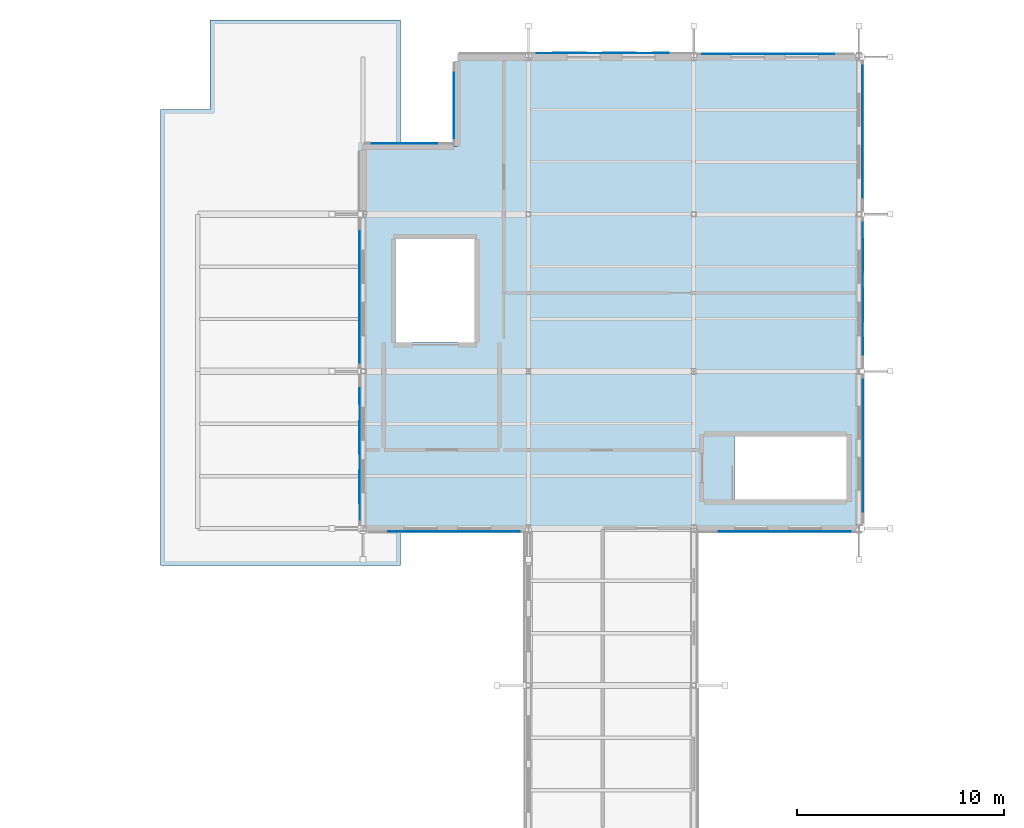
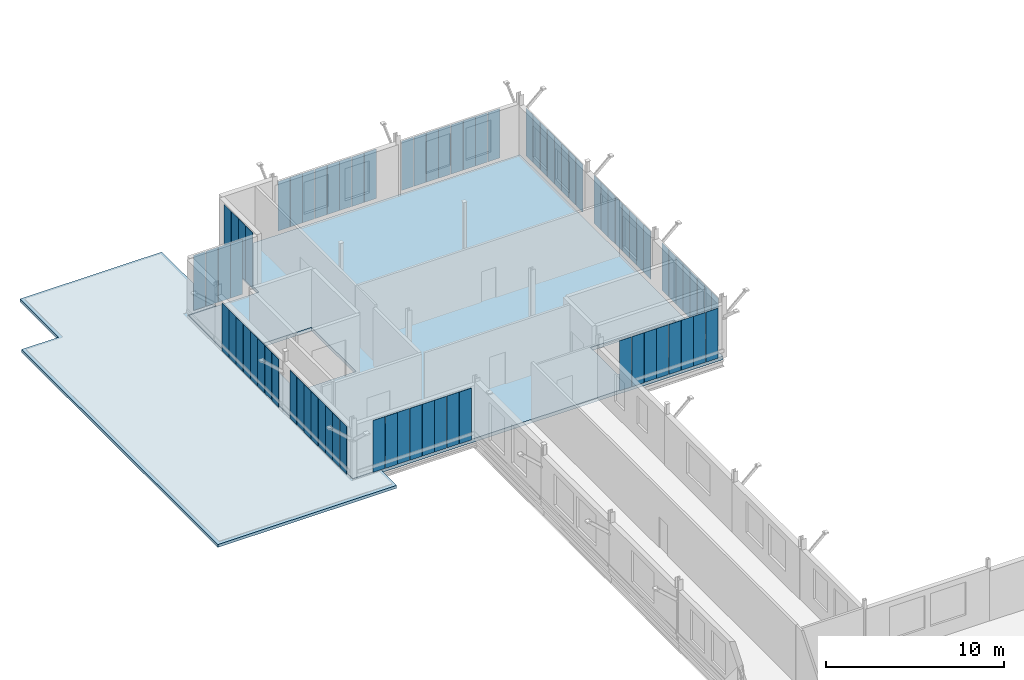
# One storey, part 71 of 101: 80 plates, 2 slabs.
"""IFC4 building model written with IfcOpenShell, lengths in metres."""

from ifc_helpers import new_model, si_unit, direction, frame, origin, origin_2d, place, context, subcontext, project, spatial, polyline, rectangle, outline, extrude, material, layer, layer_set, type_object, element, save


model = new_model("IFC4")

# Units and contexts
model_context = context("Model", 3, precision=1e-05, world=origin(), true_north=direction((0.0, 1.0)))
body_context = subcontext(model_context, "Body", "Model", "MODEL_VIEW")
ifc_project = project(units=[si_unit("LENGTHUNIT", "METRE"), si_unit("AREAUNIT", "SQUARE_METRE"), si_unit("VOLUMEUNIT", "CUBIC_METRE"), si_unit("PLANEANGLEUNIT", "RADIAN"), si_unit("MASSUNIT", "GRAM", prefix="KILO")], contexts=[model_context])

# Site, building, storey
site_placement = place(None, origin())
site = spatial("IfcSite", under=ifc_project, at=site_placement, CompositionType="ELEMENT")
building_placement = place(site_placement, origin())
building = spatial("IfcBuilding", under=site, at=building_placement, Name="Vekula Escarpment Museum", CompositionType="ELEMENT")
storey_placement = place(building_placement, frame((0.0, 0.0, 18.0)))
storey = spatial("IfcBuildingStorey", under=building, at=storey_placement, Name="L04", CompositionType="ELEMENT", Elevation=18.0)

# Plates
ifc_material_1 = material(Name="Bronze-anodized perforated aluminium screen", Category="aluminium")
ifc_layer_1 = layer(ifc_material_1, 0.011962890625)
ifc_layer_set_1 = layer_set([ifc_layer_1], Name="Bronze-anodized perforated aluminium screen")
plate_type_1 = type_object("IfcPlateType", Name="PL-SEBEKE-12", PredefinedType="USERDEFINED", material=ifc_layer_set_1)
for number, where, z_axis, x_axis, name in (
    (1, (53.60009765625, 113.047119140625, 0.10009765625), (0.0, 0.0, 1.0), (1.0, 0.0, 0.0), "Perforated Sebeke Solar Screen 0101"),
    (2, (51.199951171875, 113.047119140625, 0.10009765625), (0.0, 0.0, 1.0), (1.0, 0.0, 0.0), "Perforated Sebeke Solar Screen 0104"),
):
    element("IfcPlate", number, at=place(storey_placement, frame(where, z_axis=z_axis, x_axis=x_axis)), inside=storey, type_object=plate_type_1, Name=name, ObjectType="SOLAR SCREEN", PredefinedType="USERDEFINED", context=body_context, shape_type="SweptSolid", body=[
        extrude(rectangle(XDim=0.780029296875, YDim=0.011962890625, at=origin_2d()), origin(), (0.0, 0.0, 1.0), 3.425048828125),
    ])
for number, where, z_axis, x_axis, name in (
    (3, (56.193115234375, 119.199951171875, 0.10009765625), (0.0, 0.0, 1.0), (0.0, 1.0, 0.0), "Perforated Sebeke Solar Screen 0108"),
    (4, (56.193115234375, 116.800048828125, 0.10009765625), (0.0, 0.0, 1.0), (0.0, 1.0, 0.0), "Perforated Sebeke Solar Screen 0111"),
    (5, (56.193115234375, 114.39990234375, 0.10009765625), (0.0, 0.0, 1.0), (0.0, 1.0, 0.0), "Perforated Sebeke Solar Screen 0114"),
    (6, (56.177978515625, 127.60009765625, 0.10009765625), (0.0, 0.0, 1.0), (0.0, 1.0, 0.0), "Perforated Sebeke Solar Screen 0115"),
    (7, (56.177978515625, 125.199951171875, 0.10009765625), (0.0, 0.0, 1.0), (0.0, 1.0, 0.0), "Perforated Sebeke Solar Screen 0118"),
    (8, (56.177978515625, 122.800048828125, 0.10009765625), (0.0, 0.0, 1.0), (0.0, 1.0, 0.0), "Perforated Sebeke Solar Screen 0121"),
    (9, (56.1630859375, 133.60009765625, 0.10009765625), (0.0, 0.0, 1.0), (0.0, 1.0, 0.0), "Perforated Sebeke Solar Screen 0125"),
    (10, (56.1630859375, 131.199951171875, 0.10009765625), (0.0, 0.0, 1.0), (0.0, 1.0, 0.0), "Perforated Sebeke Solar Screen 0128"),
):
    element("IfcPlate", number, at=place(storey_placement, frame(where, z_axis=z_axis, x_axis=x_axis)), inside=storey, type_object=plate_type_1, Name=name, ObjectType="SOLAR SCREEN", PredefinedType="USERDEFINED", context=body_context, shape_type="SweptSolid", body=[
        extrude(rectangle(XDim=0.780029296875, YDim=0.011962890625, at=origin_2d()), origin(), (0.0, 0.0, 1.0), 3.284912109375),
    ])
for number, where, z_axis, x_axis, name in (
    (11, (49.60009765625, 136.153076171875, 0.10009765625), (0.0, 0.0, 1.0), (1.0, 0.0, 0.0), "Perforated Sebeke Solar Screen 0132"),
    (12, (52.0, 136.153076171875, 0.10009765625), (0.0, 0.0, 1.0), (1.0, 0.0, 0.0), "Perforated Sebeke Solar Screen 0135"),
    (13, (54.39990234375, 136.153076171875, 0.10009765625), (0.0, 0.0, 1.0), (1.0, 0.0, 0.0), "Perforated Sebeke Solar Screen 0138"),
    (14, (40.800048828125, 136.193115234375, 0.10009765625), (0.0, 0.0, 1.0), (1.0, 0.0, 0.0), "Perforated Sebeke Solar Screen 0139"),
    (15, (43.199951171875, 136.193115234375, 0.10009765625), (0.0, 0.0, 1.0), (1.0, 0.0, 0.0), "Perforated Sebeke Solar Screen 0142"),
    (16, (45.60009765625, 136.193115234375, 0.10009765625), (0.0, 0.0, 1.0), (1.0, 0.0, 0.0), "Perforated Sebeke Solar Screen 0145"),
):
    element("IfcPlate", number, at=place(storey_placement, frame(where, z_axis=z_axis, x_axis=x_axis)), inside=storey, type_object=plate_type_1, Name=name, ObjectType="SOLAR SCREEN", PredefinedType="USERDEFINED", context=body_context, shape_type="SweptSolid", body=[
        extrude(rectangle(XDim=0.780029296875, YDim=0.011962890625, at=origin_2d()), origin(), (0.0, 0.0, 1.0), 3.39501953125),
    ])
for number, where, z_axis, x_axis, name in (
    (17, (36.39697265625, 134.068115234375, 0.10009765625), (0.0, 0.0, 1.0), (0.0, 1.0, 0.0), "Perforated Sebeke Solar Screen 0149"),
    (18, (32.800048828125, 131.821044921875, 0.10009765625), (0.0, 0.0, 1.0), (1.0, 0.0, 0.0), "Perforated Sebeke Solar Screen 0151"),
    (19, (35.199951171875, 131.821044921875, 0.10009765625), (0.0, 0.0, 1.0), (1.0, 0.0, 0.0), "Perforated Sebeke Solar Screen 0154"),
):
    element("IfcPlate", number, at=place(storey_placement, frame(where, z_axis=z_axis, x_axis=x_axis)), inside=storey, type_object=plate_type_1, Name=name, ObjectType="SOLAR SCREEN", PredefinedType="USERDEFINED", context=body_context, shape_type="SweptSolid", body=[
        extrude(rectangle(XDim=0.780029296875, YDim=0.011962890625, at=origin_2d()), origin(), (0.0, 0.0, 1.0), 3.780029296875),
    ])
for number, where, z_axis, x_axis, name in (
    (20, (31.822021484375, 122.39990234375, 0.10009765625), (0.0, 0.0, 1.0), (0.0, 1.0, 0.0), "Perforated Sebeke Solar Screen 0156"),
    (21, (31.822021484375, 124.800048828125, 0.10009765625), (0.0, 0.0, 1.0), (0.0, 1.0, 0.0), "Perforated Sebeke Solar Screen 0159"),
    (22, (31.822021484375, 127.199951171875, 0.10009765625), (0.0, 0.0, 1.0), (0.0, 1.0, 0.0), "Perforated Sebeke Solar Screen 0162"),
    (23, (31.8369140625, 114.0, 0.10009765625), (0.0, 0.0, 1.0), (0.0, 1.0, 0.0), "Perforated Sebeke Solar Screen 0163"),
    (24, (31.8369140625, 116.39990234375, 0.10009765625), (0.0, 0.0, 1.0), (0.0, 1.0, 0.0), "Perforated Sebeke Solar Screen 0166"),
    (25, (31.8369140625, 118.800048828125, 0.10009765625), (0.0, 0.0, 1.0), (0.0, 1.0, 0.0), "Perforated Sebeke Solar Screen 0169"),
):
    element("IfcPlate", number, at=place(storey_placement, frame(where, z_axis=z_axis, x_axis=x_axis)), inside=storey, type_object=plate_type_1, Name=name, ObjectType="SOLAR SCREEN", PredefinedType="USERDEFINED", context=body_context, shape_type="SweptSolid", body=[
        extrude(rectangle(XDim=0.780029296875, YDim=0.011962890625, at=origin_2d()), origin(), (0.0, 0.0, 1.0), 3.284912109375),
    ])
for number, where, z_axis, x_axis, name in (
    (26, (37.60009765625, 113.047119140625, 0.10009765625), (0.0, 0.0, 1.0), (1.0, 0.0, 0.0), "Perforated Sebeke Solar Screen 0173"),
    (27, (35.199951171875, 113.047119140625, 0.10009765625), (0.0, 0.0, 1.0), (1.0, 0.0, 0.0), "Perforated Sebeke Solar Screen 0176"),
):
    element("IfcPlate", number, at=place(storey_placement, frame(where, z_axis=z_axis, x_axis=x_axis)), inside=storey, type_object=plate_type_1, Name=name, ObjectType="SOLAR SCREEN", PredefinedType="USERDEFINED", context=body_context, shape_type="SweptSolid", body=[
        extrude(rectangle(XDim=0.780029296875, YDim=0.011962890625, at=origin_2d()), origin(), (0.0, 0.0, 1.0), 3.554931640625),
    ])
ifc_material_2 = material(Name="Bronze-anodized perforated aluminium screen", Category="aluminium")
ifc_layer_2 = layer(ifc_material_2, 0.01806640625)
ifc_layer_set_2 = layer_set([ifc_layer_2], Name="Bronze-anodized perforated aluminium screen")
plate_type_2 = type_object("IfcPlateType", Name="PL-SEBEKE-18", PredefinedType="USERDEFINED", material=ifc_layer_set_2)
for number, where, z_axis, x_axis, name in (
    (28, (54.39990234375, 113.0439453125, 0.10009765625), (0.0, 0.0, 1.0), (1.0, 0.0, 0.0), "Perforated Sebeke Solar Screen 0100"),
    (29, (52.0, 113.0439453125, 0.10009765625), (0.0, 0.0, 1.0), (1.0, 0.0, 0.0), "Perforated Sebeke Solar Screen 0103"),
    (30, (49.60009765625, 113.0439453125, 0.10009765625), (0.0, 0.0, 1.0), (1.0, 0.0, 0.0), "Perforated Sebeke Solar Screen 0106"),
):
    element("IfcPlate", number, at=place(storey_placement, frame(where, z_axis=z_axis, x_axis=x_axis)), inside=storey, type_object=plate_type_2, Name=name, ObjectType="SOLAR SCREEN", PredefinedType="USERDEFINED", context=body_context, shape_type="SweptSolid", body=[
        extrude(rectangle(XDim=0.780029296875, YDim=0.01806640625, at=origin_2d()), origin(), (0.0, 0.0, 1.0), 3.425048828125),
    ])
for number, where, z_axis, x_axis, name in (
    (31, (56.196044921875, 120.0, 0.10009765625), (0.0, 0.0, 1.0), (0.0, 1.0, 0.0), "Perforated Sebeke Solar Screen 0107"),
    (32, (56.196044921875, 117.60009765625, 0.10009765625), (0.0, 0.0, 1.0), (0.0, 1.0, 0.0), "Perforated Sebeke Solar Screen 0110"),
    (33, (56.196044921875, 115.199951171875, 0.10009765625), (0.0, 0.0, 1.0), (0.0, 1.0, 0.0), "Perforated Sebeke Solar Screen 0113"),
    (34, (56.180908203125, 126.0, 0.10009765625), (0.0, 0.0, 1.0), (0.0, 1.0, 0.0), "Perforated Sebeke Solar Screen 0117"),
    (35, (56.180908203125, 123.60009765625, 0.10009765625), (0.0, 0.0, 1.0), (0.0, 1.0, 0.0), "Perforated Sebeke Solar Screen 0120"),
    (36, (56.166015625, 134.39990234375, 0.10009765625), (0.0, 0.0, 1.0), (0.0, 1.0, 0.0), "Perforated Sebeke Solar Screen 0124"),
    (37, (56.166015625, 132.0, 0.10009765625), (0.0, 0.0, 1.0), (0.0, 1.0, 0.0), "Perforated Sebeke Solar Screen 0127"),
    (38, (56.166015625, 129.60009765625, 0.10009765625), (0.0, 0.0, 1.0), (0.0, 1.0, 0.0), "Perforated Sebeke Solar Screen 0130"),
):
    element("IfcPlate", number, at=place(storey_placement, frame(where, z_axis=z_axis, x_axis=x_axis)), inside=storey, type_object=plate_type_2, Name=name, ObjectType="SOLAR SCREEN", PredefinedType="USERDEFINED", context=body_context, shape_type="SweptSolid", body=[
        extrude(rectangle(XDim=0.780029296875, YDim=0.01806640625, at=origin_2d()), origin(), (0.0, 0.0, 1.0), 3.284912109375),
    ])
for number, where, z_axis, x_axis, name in (
    (39, (48.800048828125, 136.156005859375, 0.10009765625), (0.0, 0.0, 1.0), (1.0, 0.0, 0.0), "Perforated Sebeke Solar Screen 0131"),
    (40, (51.199951171875, 136.156005859375, 0.10009765625), (0.0, 0.0, 1.0), (1.0, 0.0, 0.0), "Perforated Sebeke Solar Screen 0134"),
    (41, (53.60009765625, 136.156005859375, 0.10009765625), (0.0, 0.0, 1.0), (1.0, 0.0, 0.0), "Perforated Sebeke Solar Screen 0137"),
    (42, (42.39990234375, 136.196044921875, 0.10009765625), (0.0, 0.0, 1.0), (1.0, 0.0, 0.0), "Perforated Sebeke Solar Screen 0141"),
    (43, (44.800048828125, 136.196044921875, 0.10009765625), (0.0, 0.0, 1.0), (1.0, 0.0, 0.0), "Perforated Sebeke Solar Screen 0144"),
):
    element("IfcPlate", number, at=place(storey_placement, frame(where, z_axis=z_axis, x_axis=x_axis)), inside=storey, type_object=plate_type_2, Name=name, ObjectType="SOLAR SCREEN", PredefinedType="USERDEFINED", context=body_context, shape_type="SweptSolid", body=[
        extrude(rectangle(XDim=0.780029296875, YDim=0.01806640625, at=origin_2d()), origin(), (0.0, 0.0, 1.0), 3.39501953125),
    ])
for number, where, z_axis, x_axis, name in (
    (44, (36.39404296875, 133.26806640625, 0.10009765625), (0.0, 0.0, 1.0), (0.0, 1.0, 0.0), "Perforated Sebeke Solar Screen 0148"),
    (45, (34.39990234375, 131.823974609375, 0.10009765625), (0.0, 0.0, 1.0), (1.0, 0.0, 0.0), "Perforated Sebeke Solar Screen 0153"),
):
    element("IfcPlate", number, at=place(storey_placement, frame(where, z_axis=z_axis, x_axis=x_axis)), inside=storey, type_object=plate_type_2, Name=name, ObjectType="SOLAR SCREEN", PredefinedType="USERDEFINED", context=body_context, shape_type="SweptSolid", body=[
        extrude(rectangle(XDim=0.780029296875, YDim=0.01806640625, at=origin_2d()), origin(), (0.0, 0.0, 1.0), 3.780029296875),
    ])
for number, where, z_axis, x_axis, name in (
    (46, (31.819091796875, 121.60009765625, 0.10009765625), (0.0, 0.0, 1.0), (0.0, 1.0, 0.0), "Perforated Sebeke Solar Screen 0155"),
    (47, (31.819091796875, 124.0, 0.10009765625), (0.0, 0.0, 1.0), (0.0, 1.0, 0.0), "Perforated Sebeke Solar Screen 0158"),
    (48, (31.819091796875, 126.39990234375, 0.10009765625), (0.0, 0.0, 1.0), (0.0, 1.0, 0.0), "Perforated Sebeke Solar Screen 0161"),
    (49, (31.833984375, 115.60009765625, 0.10009765625), (0.0, 0.0, 1.0), (0.0, 1.0, 0.0), "Perforated Sebeke Solar Screen 0165"),
    (50, (31.833984375, 118.0, 0.10009765625), (0.0, 0.0, 1.0), (0.0, 1.0, 0.0), "Perforated Sebeke Solar Screen 0168"),
):
    element("IfcPlate", number, at=place(storey_placement, frame(where, z_axis=z_axis, x_axis=x_axis)), inside=storey, type_object=plate_type_2, Name=name, ObjectType="SOLAR SCREEN", PredefinedType="USERDEFINED", context=body_context, shape_type="SweptSolid", body=[
        extrude(rectangle(XDim=0.780029296875, YDim=0.01806640625, at=origin_2d()), origin(), (0.0, 0.0, 1.0), 3.284912109375),
    ])
for number, where, z_axis, x_axis, name in (
    (51, (38.39990234375, 113.0439453125, 0.10009765625), (0.0, 0.0, 1.0), (1.0, 0.0, 0.0), "Perforated Sebeke Solar Screen 0172"),
    (52, (36.0, 113.0439453125, 0.10009765625), (0.0, 0.0, 1.0), (1.0, 0.0, 0.0), "Perforated Sebeke Solar Screen 0175"),
    (53, (33.60009765625, 113.0439453125, 0.10009765625), (0.0, 0.0, 1.0), (1.0, 0.0, 0.0), "Perforated Sebeke Solar Screen 0178"),
):
    element("IfcPlate", number, at=place(storey_placement, frame(where, z_axis=z_axis, x_axis=x_axis)), inside=storey, type_object=plate_type_2, Name=name, ObjectType="SOLAR SCREEN", PredefinedType="USERDEFINED", context=body_context, shape_type="SweptSolid", body=[
        extrude(rectangle(XDim=0.780029296875, YDim=0.01806640625, at=origin_2d()), origin(), (0.0, 0.0, 1.0), 3.554931640625),
    ])
ifc_material_3 = material(Name="Bronze-anodized perforated aluminium screen", Category="aluminium")
ifc_layer_3 = layer(ifc_material_3, 0.02197265625)
ifc_layer_set_3 = layer_set([ifc_layer_3], Name="Bronze-anodized perforated aluminium screen")
plate_type_3 = type_object("IfcPlateType", Name="PL-SEBEKE-22", PredefinedType="USERDEFINED", material=ifc_layer_set_3)
for number, where, z_axis, x_axis, name in (
    (54, (55.199951171875, 113.0419921875, 0.10009765625), (0.0, 0.0, 1.0), (1.0, 0.0, 0.0), "Perforated Sebeke Solar Screen 0099"),
    (55, (52.800048828125, 113.0419921875, 0.10009765625), (0.0, 0.0, 1.0), (1.0, 0.0, 0.0), "Perforated Sebeke Solar Screen 0102"),
    (56, (50.39990234375, 113.0419921875, 0.10009765625), (0.0, 0.0, 1.0), (1.0, 0.0, 0.0), "Perforated Sebeke Solar Screen 0105"),
):
    element("IfcPlate", number, at=place(storey_placement, frame(where, z_axis=z_axis, x_axis=x_axis)), inside=storey, type_object=plate_type_3, Name=name, ObjectType="SOLAR SCREEN", PredefinedType="USERDEFINED", context=body_context, shape_type="SweptSolid", body=[
        extrude(rectangle(XDim=0.780029296875, YDim=0.02197265625, at=origin_2d()), origin(), (0.0, 0.0, 1.0), 3.425048828125),
    ])
for number, where, z_axis, x_axis, name in (
    (57, (56.197998046875, 118.39990234375, 0.10009765625), (0.0, 0.0, 1.0), (0.0, 1.0, 0.0), "Perforated Sebeke Solar Screen 0109"),
    (58, (56.197998046875, 116.0, 0.10009765625), (0.0, 0.0, 1.0), (0.0, 1.0, 0.0), "Perforated Sebeke Solar Screen 0112"),
    (59, (56.18310546875, 126.800048828125, 0.10009765625), (0.0, 0.0, 1.0), (0.0, 1.0, 0.0), "Perforated Sebeke Solar Screen 0116"),
    (60, (56.18310546875, 124.39990234375, 0.10009765625), (0.0, 0.0, 1.0), (0.0, 1.0, 0.0), "Perforated Sebeke Solar Screen 0119"),
    (61, (56.18310546875, 122.0, 0.10009765625), (0.0, 0.0, 1.0), (0.0, 1.0, 0.0), "Perforated Sebeke Solar Screen 0122"),
    (62, (56.16796875, 135.199951171875, 0.10009765625), (0.0, 0.0, 1.0), (0.0, 1.0, 0.0), "Perforated Sebeke Solar Screen 0123"),
    (63, (56.16796875, 132.800048828125, 0.10009765625), (0.0, 0.0, 1.0), (0.0, 1.0, 0.0), "Perforated Sebeke Solar Screen 0126"),
    (64, (56.16796875, 130.39990234375, 0.10009765625), (0.0, 0.0, 1.0), (0.0, 1.0, 0.0), "Perforated Sebeke Solar Screen 0129"),
):
    element("IfcPlate", number, at=place(storey_placement, frame(where, z_axis=z_axis, x_axis=x_axis)), inside=storey, type_object=plate_type_3, Name=name, ObjectType="SOLAR SCREEN", PredefinedType="USERDEFINED", context=body_context, shape_type="SweptSolid", body=[
        extrude(rectangle(XDim=0.780029296875, YDim=0.02197265625, at=origin_2d()), origin(), (0.0, 0.0, 1.0), 3.284912109375),
    ])
for number, where, z_axis, x_axis, name in (
    (65, (50.39990234375, 136.157958984375, 0.10009765625), (0.0, 0.0, 1.0), (1.0, 0.0, 0.0), "Perforated Sebeke Solar Screen 0133"),
    (66, (52.800048828125, 136.157958984375, 0.10009765625), (0.0, 0.0, 1.0), (1.0, 0.0, 0.0), "Perforated Sebeke Solar Screen 0136"),
    (67, (41.60009765625, 136.197998046875, 0.10009765625), (0.0, 0.0, 1.0), (1.0, 0.0, 0.0), "Perforated Sebeke Solar Screen 0140"),
    (68, (44.0, 136.197998046875, 0.10009765625), (0.0, 0.0, 1.0), (1.0, 0.0, 0.0), "Perforated Sebeke Solar Screen 0143"),
    (69, (46.39990234375, 136.197998046875, 0.10009765625), (0.0, 0.0, 1.0), (1.0, 0.0, 0.0), "Perforated Sebeke Solar Screen 0146"),
):
    element("IfcPlate", number, at=place(storey_placement, frame(where, z_axis=z_axis, x_axis=x_axis)), inside=storey, type_object=plate_type_3, Name=name, ObjectType="SOLAR SCREEN", PredefinedType="USERDEFINED", context=body_context, shape_type="SweptSolid", body=[
        extrude(rectangle(XDim=0.780029296875, YDim=0.02197265625, at=origin_2d()), origin(), (0.0, 0.0, 1.0), 3.39501953125),
    ])
for number, where, z_axis, x_axis, name in (
    (70, (36.39208984375, 132.468017578125, 0.10009765625), (0.0, 0.0, 1.0), (0.0, 1.0, 0.0), "Perforated Sebeke Solar Screen 0147"),
    (71, (36.39208984375, 134.867919921875, 0.10009765625), (0.0, 0.0, 1.0), (0.0, 1.0, 0.0), "Perforated Sebeke Solar Screen 0150"),
    (72, (33.60009765625, 131.825927734375, 0.10009765625), (0.0, 0.0, 1.0), (1.0, 0.0, 0.0), "Perforated Sebeke Solar Screen 0152"),
):
    element("IfcPlate", number, at=place(storey_placement, frame(where, z_axis=z_axis, x_axis=x_axis)), inside=storey, type_object=plate_type_3, Name=name, ObjectType="SOLAR SCREEN", PredefinedType="USERDEFINED", context=body_context, shape_type="SweptSolid", body=[
        extrude(rectangle(XDim=0.780029296875, YDim=0.02197265625, at=origin_2d()), origin(), (0.0, 0.0, 1.0), 3.780029296875),
    ])
for number, where, z_axis, x_axis, name in (
    (73, (31.81689453125, 123.199951171875, 0.10009765625), (0.0, 0.0, 1.0), (0.0, 1.0, 0.0), "Perforated Sebeke Solar Screen 0157"),
    (74, (31.81689453125, 125.60009765625, 0.10009765625), (0.0, 0.0, 1.0), (0.0, 1.0, 0.0), "Perforated Sebeke Solar Screen 0160"),
    (75, (31.83203125, 114.800048828125, 0.10009765625), (0.0, 0.0, 1.0), (0.0, 1.0, 0.0), "Perforated Sebeke Solar Screen 0164"),
    (76, (31.83203125, 117.199951171875, 0.10009765625), (0.0, 0.0, 1.0), (0.0, 1.0, 0.0), "Perforated Sebeke Solar Screen 0167"),
    (77, (31.83203125, 119.60009765625, 0.10009765625), (0.0, 0.0, 1.0), (0.0, 1.0, 0.0), "Perforated Sebeke Solar Screen 0170"),
):
    element("IfcPlate", number, at=place(storey_placement, frame(where, z_axis=z_axis, x_axis=x_axis)), inside=storey, type_object=plate_type_3, Name=name, ObjectType="SOLAR SCREEN", PredefinedType="USERDEFINED", context=body_context, shape_type="SweptSolid", body=[
        extrude(rectangle(XDim=0.780029296875, YDim=0.02197265625, at=origin_2d()), origin(), (0.0, 0.0, 1.0), 3.284912109375),
    ])
for number, where, z_axis, x_axis, name in (
    (78, (39.199951171875, 113.0419921875, 0.10009765625), (0.0, 0.0, 1.0), (1.0, 0.0, 0.0), "Perforated Sebeke Solar Screen 0171"),
    (79, (36.800048828125, 113.0419921875, 0.10009765625), (0.0, 0.0, 1.0), (1.0, 0.0, 0.0), "Perforated Sebeke Solar Screen 0174"),
    (80, (34.39990234375, 113.0419921875, 0.10009765625), (0.0, 0.0, 1.0), (1.0, 0.0, 0.0), "Perforated Sebeke Solar Screen 0177"),
):
    element("IfcPlate", number, at=place(storey_placement, frame(where, z_axis=z_axis, x_axis=x_axis)), inside=storey, type_object=plate_type_3, Name=name, ObjectType="SOLAR SCREEN", PredefinedType="USERDEFINED", context=body_context, shape_type="SweptSolid", body=[
        extrude(rectangle(XDim=0.780029296875, YDim=0.02197265625, at=origin_2d()), origin(), (0.0, 0.0, 1.0), 3.554931640625),
    ])

# Slabs
ifc_material_4 = material(Name="Concrete C35/45", Category="concrete")
ifc_layer_4 = layer(ifc_material_4, 0.239990234375)
ifc_layer_set_4 = layer_set([ifc_layer_4], Name="Concrete C35/45")
slab_type_1 = type_object("IfcSlabType", Name="SL-FLR-240", PredefinedType="FLOOR", material=ifc_layer_set_4)
slab_1_placement = place(storey_placement, frame((0.0, 0.0, -0.239990234375)))
element("IfcSlab", 81, at=slab_1_placement, inside=storey, type_object=slab_type_1, Name="Floor Slab W-L04-V5-NW", PredefinedType="FLOOR", context=body_context, shape_type="SweptSolid", body=[
    extrude(outline(polyline([(32.0, 113.199951171875), (56.0, 113.199951171875), (56.0, 136.0), (36.56005859375, 136.0), (36.56005859375, 131.66796875), (32.0, 131.66796875), (32.0, 113.199951171875)]), holes=[polyline([(49.97998046875, 114.60009765625), (55.39990234375, 114.60009765625), (55.39990234375, 117.639892578125), (49.97998046875, 117.639892578125), (49.97998046875, 114.60009765625)]), polyline([(33.60009765625, 122.199951171875), (37.39990234375, 122.199951171875), (37.39990234375, 127.199951171875), (33.60009765625, 127.199951171875), (33.60009765625, 122.199951171875)])]), origin(), (0.0, 0.0, 1.0), 0.239990234375),
])
ifc_material_5 = material(Name="Concrete C35/45", Category="concrete")
ifc_layer_5 = layer(ifc_material_5, 0.199951171875)
ifc_layer_set_5 = layer_set([ifc_layer_5], Name="Concrete C35/45")
slab_type_2 = type_object("IfcSlabType", Name="SL-ROOF-200", PredefinedType="ROOF", material=ifc_layer_set_5)
slab_2_placement = place(storey_placement, frame((0.0, 0.0, -0.199951171875)))
element("IfcSlab", 82, at=slab_2_placement, inside=storey, type_object=slab_type_2, Name="Overhanging Eave Roof Slab R-L04-V5W2", PredefinedType="ROOF", context=body_context, shape_type="SweptSolid", body=[
    extrude(outline(polyline([(22.199951171875, 133.468017578125), (24.60009765625, 133.468017578125), (24.60009765625, 137.800048828125), (33.800048828125, 137.800048828125), (33.800048828125, 131.697998046875), (31.969970703125, 131.697998046875), (31.969970703125, 113.169921875), (33.800048828125, 113.169921875), (33.800048828125, 111.39990234375), (22.199951171875, 111.39990234375), (22.199951171875, 133.468017578125)])), origin(), (0.0, 0.0, 1.0), 0.199951171875),
])

save(model, "model.ifc")
